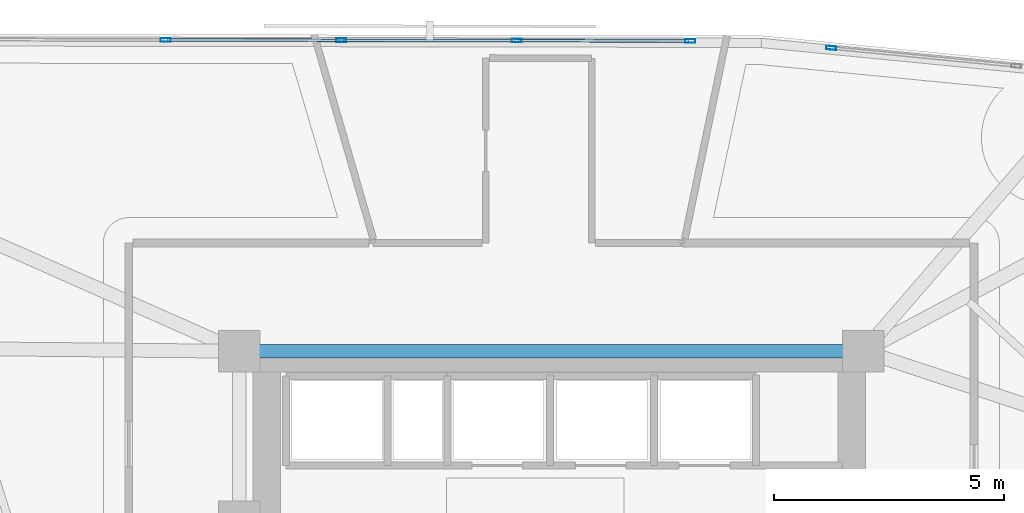
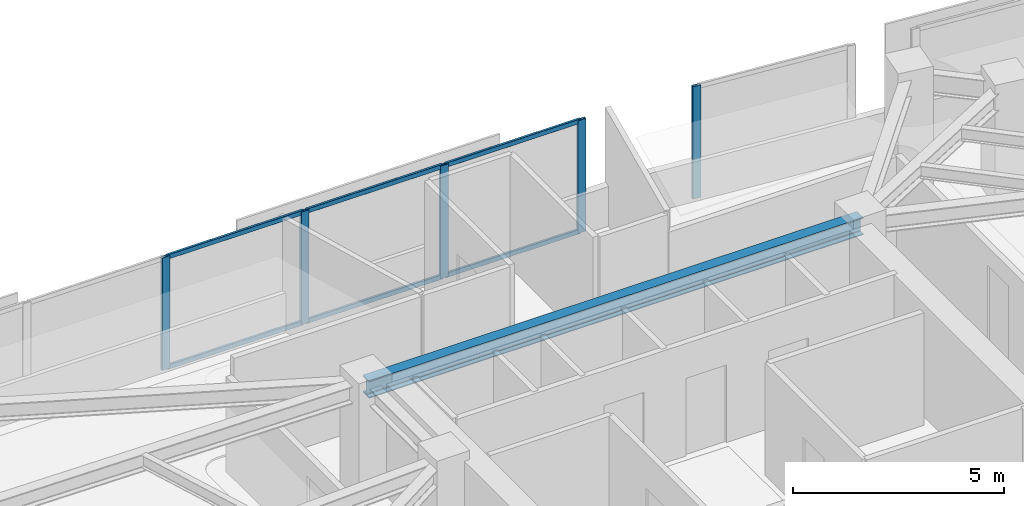
# One storey, part 3 of 13: 11 members, 1 beam, 2 elements without a shape of their own.
"""IFC4 building model written with IfcOpenShell, lengths in metres."""

from ifc_helpers import new_model, si_unit, direction, frame, origin, origin_2d, place, context, subcontext, project, spatial, hollow_rectangle, i_section, extrude, material, material_profile, profile_set, type_object, element, aggregate, save


model = new_model("IFC4")

# Units and contexts
model_context = context("Model", 3, precision=1e-05, world=origin(), true_north=direction((0.0, 1.0)))
body_context = subcontext(model_context, "Body", "Model", "MODEL_VIEW")
ifc_project = project(units=[si_unit("LENGTHUNIT", "METRE"), si_unit("AREAUNIT", "SQUARE_METRE"), si_unit("VOLUMEUNIT", "CUBIC_METRE"), si_unit("PLANEANGLEUNIT", "RADIAN"), si_unit("MASSUNIT", "GRAM", prefix="KILO")], contexts=[model_context])

# Site, building, storey
site_placement = place(None, origin())
site = spatial("IfcSite", under=ifc_project, at=site_placement, CompositionType="ELEMENT")
building_placement = place(site_placement, origin())
building = spatial("IfcBuilding", under=site, at=building_placement, Name="Narakoshi Arena Tower", CompositionType="ELEMENT")
storey_placement = place(building_placement, frame((0.0, 0.0, 253.699951171875)))
storey = spatial("IfcBuildingStorey", under=building, at=storey_placement, Name="L69", CompositionType="ELEMENT", Elevation=253.699951171875)

# Beam
ifc_material_1 = material(Name="Structural steel S355J2", Category="steel")
ifc_material_profile_1 = material_profile(ifc_material_1, i_section(OverallWidth=0.300048828125, OverallDepth=0.5, WebThickness=0.014404296875, FlangeThickness=0.028076171875, FilletRadius=0.027099609375, at=origin_2d()), Name="HE500B")
ifc_profile_set_1 = profile_set([ifc_material_profile_1], Name="Structural steel S355J2")
beam_type = type_object("IfcBeamType", Name="BM-PRI-500", PredefinedType="BEAM", material=ifc_profile_set_1)
beam_placement = place(storey_placement, frame((72.0, 56.5, 3.010009765625), z_axis=(1.0, 0.0, 0.0), x_axis=(0.0, 1.0, 0.0)))
element("IfcBeam", 1, at=beam_placement, inside=storey, type_object=beam_type, Name="L69 Core Perimeter Frame Beam CC5-CC6", PredefinedType="BEAM", context=body_context, shape_type="SweptSolid", body=[
    extrude(i_section(OverallWidth=0.300048828125, OverallDepth=0.5, WebThickness=0.014404296875, FlangeThickness=0.028076171875, FilletRadius=0.027099609375, at=origin_2d()), origin(), (0.0, 0.0, 1.0), 13.550048828125),
])

# Curtain wall, member
ifc_material_2 = material(Name="Anodised bronze aluminium 6063-T6", Category="aluminium")
curtain_wall_type = type_object("IfcCurtainWallType", Name="CW-HYP-HIGH", PredefinedType="NOTDEFINED", material=ifc_material_2)
curtain_wall_1_placement = place(storey_placement, origin())
curtain_wall_1 = element("IfcCurtainWall", 2, at=curtain_wall_1_placement, inside=storey, type_object=curtain_wall_type, Name="L69 Folded Hypotenuse Curtain Wall 1-2", PredefinedType="NOTDEFINED")
ifc_material_profile_2 = material_profile(ifc_material_2, hollow_rectangle(XDim=0.080078125, YDim=0.219970703125, WallThickness=0.0048828125, OuterFilletRadius=0.006103515625, at=origin_2d()), Name="MUL220x80x5")
ifc_profile_set_2 = profile_set([ifc_material_profile_2], Name="Anodised bronze aluminium 6063-T6")
member_type_1 = type_object("IfcMemberType", Name="MEM-MUL-220", PredefinedType="MULLION", material=ifc_profile_set_2)
member_1_placement = place(storey_placement, frame((84.853515625, 63.084716796875, 0.0), z_axis=(0.0, 0.0, 1.0), x_axis=(-0.096842858471, -0.995299683896, 0.0)))
member_1 = element("IfcMember", 3, at=member_1_placement, type_object=member_type_1, Name="CW-03 mullion 2", PredefinedType="MULLION", context=body_context, shape_type="SweptSolid", body=[
    extrude(hollow_rectangle(XDim=0.080078125, YDim=0.219970703125, WallThickness=0.0048828125, OuterFilletRadius=0.006103515625, at=origin_2d()), origin(), (0.0, 0.0, 1.0), 3.260009765625),
])
aggregate(curtain_wall_1, [member_1])

# Curtain wall, members
curtain_wall_2_placement = place(storey_placement, origin())
curtain_wall_2 = element("IfcCurtainWall", 4, at=curtain_wall_2_placement, inside=storey, type_object=curtain_wall_type, Name="L69 Folded Hypotenuse Curtain Wall 2-1", PredefinedType="NOTDEFINED")
member_2_placement = place(storey_placement, frame((81.792236328125, 63.236083984375, 0.0), z_axis=(0.0, 0.0, 1.0), x_axis=(-0.001819896899, -0.999998343986, 0.0)))
member_2 = element("IfcMember", 5, at=member_2_placement, type_object=member_type_1, Name="CW-03 mullion 1", PredefinedType="MULLION", context=body_context, shape_type="SweptSolid", body=[
    extrude(hollow_rectangle(XDim=0.080078125, YDim=0.219970703125, WallThickness=0.0048828125, OuterFilletRadius=0.006103515625, at=origin_2d()), origin(), (0.0, 0.0, 1.0), 3.260009765625),
])
member_3_placement = place(storey_placement, frame((78.0224609375, 63.242919921875, 0.0), z_axis=(0.0, 0.0, 1.0), x_axis=(-0.001819896899, -0.999998343986, 0.0)))
member_3 = element("IfcMember", 6, at=member_3_placement, type_object=member_type_1, Name="CW-03 mullion 2", PredefinedType="MULLION", context=body_context, shape_type="SweptSolid", body=[
    extrude(hollow_rectangle(XDim=0.080078125, YDim=0.219970703125, WallThickness=0.0048828125, OuterFilletRadius=0.006103515625, at=origin_2d()), origin(), (0.0, 0.0, 1.0), 3.260009765625),
])
member_4_placement = place(storey_placement, frame((74.212890625, 63.249755859375, 0.0), z_axis=(0.0, 0.0, 1.0), x_axis=(-0.001819896899, -0.999998343986, 0.0)))
member_4 = element("IfcMember", 7, at=member_4_placement, type_object=member_type_1, Name="CW-03 mullion 3", PredefinedType="MULLION", context=body_context, shape_type="SweptSolid", body=[
    extrude(hollow_rectangle(XDim=0.080078125, YDim=0.219970703125, WallThickness=0.0048828125, OuterFilletRadius=0.006103515625, at=origin_2d()), origin(), (0.0, 0.0, 1.0), 3.260009765625),
])
member_5_placement = place(storey_placement, frame((70.403076171875, 63.2568359375, 0.0), z_axis=(0.0, 0.0, 1.0), x_axis=(-0.001819896899, -0.999998343986, 0.0)))
member_5 = element("IfcMember", 8, at=member_5_placement, type_object=member_type_1, Name="CW-03 mullion 4", PredefinedType="MULLION", context=body_context, shape_type="SweptSolid", body=[
    extrude(hollow_rectangle(XDim=0.080078125, YDim=0.219970703125, WallThickness=0.0048828125, OuterFilletRadius=0.006103515625, at=origin_2d()), origin(), (0.0, 0.0, 1.0), 3.260009765625),
])
ifc_material_profile_3 = material_profile(ifc_material_2, hollow_rectangle(XDim=0.06494140625, YDim=0.1298828125, WallThickness=0.00390625, OuterFilletRadius=0.0048828125, at=origin_2d()), Name="TRN130x65x4")
ifc_profile_set_3 = profile_set([ifc_material_profile_3], Name="Anodised bronze aluminium 6063-T6")
member_type_2 = type_object("IfcMemberType", Name="MEM-TRN-130", PredefinedType="USERDEFINED", material=ifc_profile_set_3)
member_6_placement = place(storey_placement, frame((81.752197265625, 63.236083984375, 0.032470703125), z_axis=(-0.999998283738, 0.001852706408, 0.0), x_axis=(-0.001852706408, -0.999998283738, 0.0)))
member_6 = element("IfcMember", 9, at=member_6_placement, type_object=member_type_2, Name="CW-03 transom 1.1", ObjectType="TRANSOM", PredefinedType="USERDEFINED", context=body_context, shape_type="SweptSolid", body=[
    extrude(hollow_rectangle(XDim=0.06494140625, YDim=0.1298828125, WallThickness=0.00390625, OuterFilletRadius=0.0048828125, at=origin_2d()), origin(), (0.0, 0.0, 1.0), 3.689697265625),
])
member_7_placement = place(storey_placement, frame((81.752197265625, 63.236083984375, 3.2275390625), z_axis=(-0.999998283738, 0.001852706408, 0.0), x_axis=(-0.001852706408, -0.999998283738, 0.0)))
member_7 = element("IfcMember", 10, at=member_7_placement, type_object=member_type_2, Name="CW-03 transom 1.2", ObjectType="TRANSOM", PredefinedType="USERDEFINED", context=body_context, shape_type="SweptSolid", body=[
    extrude(hollow_rectangle(XDim=0.06494140625, YDim=0.1298828125, WallThickness=0.00390625, OuterFilletRadius=0.0048828125, at=origin_2d()), origin(), (0.0, 0.0, 1.0), 3.689697265625),
])
member_8_placement = place(storey_placement, frame((77.982666015625, 63.242919921875, 0.032470703125), z_axis=(-0.999998320389, 0.001832817502, 0.0), x_axis=(-0.001832817502, -0.999998320389, 0.0)))
member_8 = element("IfcMember", 11, at=member_8_placement, type_object=member_type_2, Name="CW-03 transom 2.1", ObjectType="TRANSOM", PredefinedType="USERDEFINED", context=body_context, shape_type="SweptSolid", body=[
    extrude(hollow_rectangle(XDim=0.06494140625, YDim=0.1298828125, WallThickness=0.00390625, OuterFilletRadius=0.0048828125, at=origin_2d()), origin(), (0.0, 0.0, 1.0), 3.729736328125),
])
member_9_placement = place(storey_placement, frame((77.982666015625, 63.242919921875, 3.2275390625), z_axis=(-0.999998320389, 0.001832817502, 0.0), x_axis=(-0.001832817502, -0.999998320389, 0.0)))
member_9 = element("IfcMember", 12, at=member_9_placement, type_object=member_type_2, Name="CW-03 transom 2.2", ObjectType="TRANSOM", PredefinedType="USERDEFINED", context=body_context, shape_type="SweptSolid", body=[
    extrude(hollow_rectangle(XDim=0.06494140625, YDim=0.1298828125, WallThickness=0.00390625, OuterFilletRadius=0.0048828125, at=origin_2d()), origin(), (0.0, 0.0, 1.0), 3.729736328125),
])
member_10_placement = place(storey_placement, frame((74.1728515625, 63.25, 0.032470703125), z_axis=(-0.999998320389, 0.001832817502, 0.0), x_axis=(-0.001832817502, -0.999998320389, 0.0)))
member_10 = element("IfcMember", 13, at=member_10_placement, type_object=member_type_2, Name="CW-03 transom 3.1", ObjectType="TRANSOM", PredefinedType="USERDEFINED", context=body_context, shape_type="SweptSolid", body=[
    extrude(hollow_rectangle(XDim=0.06494140625, YDim=0.1298828125, WallThickness=0.00390625, OuterFilletRadius=0.0048828125, at=origin_2d()), origin(), (0.0, 0.0, 1.0), 3.729736328125),
])
member_11_placement = place(storey_placement, frame((74.1728515625, 63.25, 3.2275390625), z_axis=(-0.999998320389, 0.001832817502, 0.0), x_axis=(-0.001832817502, -0.999998320389, 0.0)))
member_11 = element("IfcMember", 14, at=member_11_placement, type_object=member_type_2, Name="CW-03 transom 3.2", ObjectType="TRANSOM", PredefinedType="USERDEFINED", context=body_context, shape_type="SweptSolid", body=[
    extrude(hollow_rectangle(XDim=0.06494140625, YDim=0.1298828125, WallThickness=0.00390625, OuterFilletRadius=0.0048828125, at=origin_2d()), origin(), (0.0, 0.0, 1.0), 3.729736328125),
])
aggregate(curtain_wall_2, [member_2, member_3, member_4, member_5, member_6, member_7, member_8, member_9, member_10, member_11])

save(model, "model.ifc")
